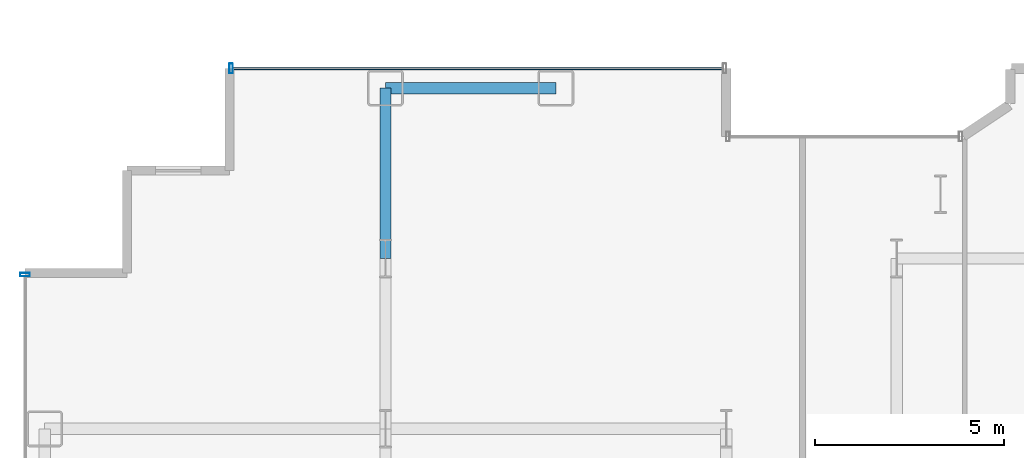
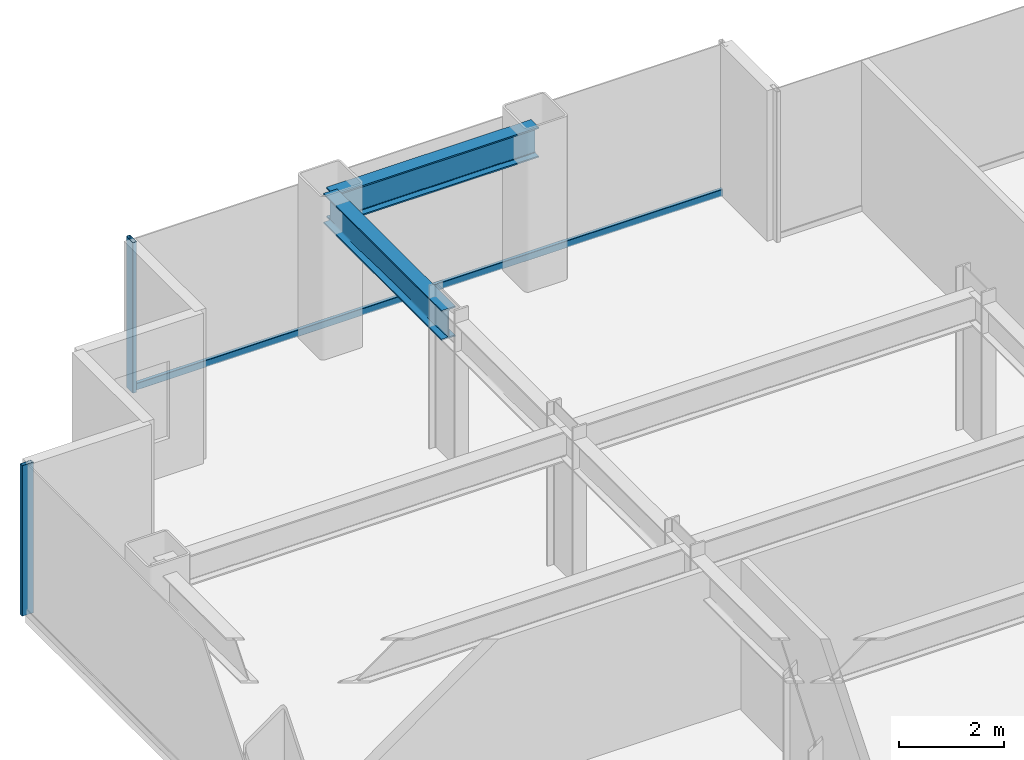
# One storey, part 9 of 26: 3 members, 2 beams, 2 elements without a shape of their own.
"""IFC4 building model written with IfcOpenShell, lengths in metres."""

from ifc_helpers import new_model, si_unit, direction, frame, origin, origin_2d, place, context, subcontext, project, spatial, hollow_rectangle, i_section, extrude, source, transform, mapped, material, layer, layer_set, material_profile, profile_set, type_object, element, aggregate, save


model = new_model("IFC4")

# Units and contexts
model_context = context("Model", 3, precision=1e-05, world=origin(), true_north=direction((0.0, 1.0)))
body_context = subcontext(model_context, "Body", "Model", "MODEL_VIEW")
ifc_project = project(units=[si_unit("LENGTHUNIT", "METRE"), si_unit("AREAUNIT", "SQUARE_METRE"), si_unit("VOLUMEUNIT", "CUBIC_METRE"), si_unit("PLANEANGLEUNIT", "RADIAN"), si_unit("MASSUNIT", "GRAM", prefix="KILO")], contexts=[model_context])

# Site, building, storey
site_placement = place(None, origin())
site = spatial("IfcSite", under=ifc_project, at=site_placement, CompositionType="ELEMENT")
building_placement = place(site_placement, origin())
building = spatial("IfcBuilding", under=site, at=building_placement, Name="Nefas-Gora Pilgrimage Tower", CompositionType="ELEMENT")
storey_placement = place(building_placement, frame((0.0, 0.0, 82.39990234375)))
storey = spatial("IfcBuildingStorey", under=building, at=storey_placement, Name="L19", CompositionType="ELEMENT", Elevation=82.39990234375)

# Beams
ifc_material_1 = material(Name="Steel S355", Category="steel")
ifc_material_profile_1 = material_profile(ifc_material_1, i_section(OverallWidth=0.300048828125, OverallDepth=0.699951171875, WebThickness=0.01708984375, FlangeThickness=0.031982421875, FilletRadius=0.027099609375, at=origin_2d()), Name="HEB 700")
ifc_profile_set_1 = profile_set([ifc_material_profile_1], Name="Steel S355")
beam_type_1 = type_object("IfcBeamType", Name="BM-SPN-HEB600", PredefinedType="SPANDREL", material=ifc_profile_set_1)
shared_shape_1 = source(origin(), body_context, "Body", "SweptSolid", [
    extrude(i_section(OverallWidth=0.300048828125, OverallDepth=0.699951171875, WebThickness=0.01708984375, FlangeThickness=0.031982421875, FilletRadius=0.027099609375, at=origin_2d()), origin(), (0.0, 0.0, 1.0), 4.5),
])
beam_1_placement = place(storey_placement, frame((-24.75, 22.5, 3.150146484375), z_axis=(1.0, 0.0, 0.0), x_axis=(0.0, 1.0, 0.0)))
element("IfcBeam", 1, at=beam_1_placement, inside=storey, type_object=beam_type_1, Name="L19 SP-01 beam", PredefinedType="SPANDREL", context=body_context, shape_type="MappedRepresentation", body=[
    mapped(shared_shape_1, transform((0.0, 0.0, 0.0), x_axis=(1.0, 0.0, 0.0), y_axis=(0.0, 1.0, 0.0), z_axis=(0.0, 0.0, 1.0), scale=1.0)),
])
ifc_material_profile_2 = material_profile(ifc_material_1, i_section(OverallWidth=0.300048828125, OverallDepth=0.699951171875, WebThickness=0.01708984375, FlangeThickness=0.031982421875, FilletRadius=0.027099609375, at=origin_2d()), Name="HEB 700")
ifc_profile_set_2 = profile_set([ifc_material_profile_2], Name="Steel S355")
beam_type_2 = type_object("IfcBeamType", Name="BM-GIR-HEB700", PredefinedType="BEAM", material=ifc_profile_set_2)
shared_shape_2 = source(origin(), body_context, "Body", "SweptSolid", [
    extrude(i_section(OverallWidth=0.300048828125, OverallDepth=0.699951171875, WebThickness=0.01708984375, FlangeThickness=0.031982421875, FilletRadius=0.027099609375, at=origin_2d()), origin(), (0.0, 0.0, 1.0), 4.5),
])
beam_2_placement = place(storey_placement, frame((-24.75, 18.0, 3.150146484375), z_axis=(0.0, 1.0, 0.0), x_axis=(-1.0, 0.0, 0.0)))
element("IfcBeam", 2, at=beam_2_placement, inside=storey, type_object=beam_type_2, Name="L19 G-02 beam", PredefinedType="BEAM", context=body_context, shape_type="MappedRepresentation", body=[
    mapped(shared_shape_2, transform((0.0, 0.0, 0.0), x_axis=(1.0, 0.0, 0.0), y_axis=(0.0, 1.0, 0.0), z_axis=(0.0, 0.0, 1.0), scale=1.0)),
])

# Curtain wall, members
ifc_material_2 = material(Name="Dark ceramic-fritted solar-control aluminium-glass curtain wall", Category="aluminium")
ifc_layer = layer(ifc_material_2, 0.219970703125)
ifc_layer_set = layer_set([ifc_layer], Name="Dark ceramic-fritted solar-control aluminium-glass curtain wall")
curtain_wall_type = type_object("IfcCurtainWallType", Name="CW-SYS-2", PredefinedType="NOTDEFINED", material=ifc_layer_set)
curtain_wall_1_placement = place(storey_placement, origin())
curtain_wall_1 = element("IfcCurtainWall", 3, at=curtain_wall_1_placement, inside=storey, type_object=curtain_wall_type, Name="L19 Unitised Curtain Wall CW2", PredefinedType="NOTDEFINED")
ifc_material_3 = material(Name="Anodised architectural aluminium", Category="aluminium")
ifc_material_profile_3 = material_profile(ifc_material_3, hollow_rectangle(XDim=0.080078125, YDim=0.159912109375, WallThickness=0.00439453125, InnerFilletRadius=0.00439453125, OuterFilletRadius=0.009033203125, at=origin_2d()), Name="ALU TRANSOM 80x160")
ifc_profile_set_3 = profile_set([ifc_material_profile_3], Name="Anodised architectural aluminium")
member_type_1 = type_object("IfcMemberType", Name="CWM-TRN-2", PredefinedType="USERDEFINED", material=ifc_profile_set_3)
shared_shape_3 = source(origin(), body_context, "Body", "SweptSolid", [
    extrude(hollow_rectangle(XDim=0.080078125, YDim=0.159912109375, WallThickness=0.00439453125, InnerFilletRadius=0.00439453125, OuterFilletRadius=0.009033203125, at=origin_2d()), origin(), (0.0, 0.0, 1.0), 12.93994140625),
])
member_1_placement = place(storey_placement, frame((-15.840087890625, 23.02001953125, 0.050048828125), z_axis=(-1.0, 0.0, 0.0), x_axis=(0.0, -1.0, 0.0)))
member_1 = element("IfcMember", 4, at=member_1_placement, type_object=member_type_1, Name="CW2 Spandrel Transom", ObjectType="TRANSOM", PredefinedType="USERDEFINED", context=body_context, shape_type="MappedRepresentation", body=[
    mapped(shared_shape_3, transform((0.0, 0.0, 0.0), x_axis=(1.0, 0.0, 0.0), y_axis=(0.0, 1.0, 0.0), z_axis=(0.0, 0.0, 1.0), scale=1.0)),
])
ifc_material_profile_4 = material_profile(ifc_material_3, hollow_rectangle(XDim=0.090087890625, YDim=0.260009765625, WallThickness=0.006103515625, InnerFilletRadius=0.006103515625, OuterFilletRadius=0.011962890625, at=origin_2d()), Name="ALU MULLION 90x260")
ifc_profile_set_4 = profile_set([ifc_material_profile_4], Name="Anodised architectural aluminium")
member_type_2 = type_object("IfcMemberType", Name="CWM-MUL-2", PredefinedType="MULLION", material=ifc_profile_set_4)
shared_shape_4 = source(origin(), body_context, "Body", "SweptSolid", [
    extrude(hollow_rectangle(XDim=0.090087890625, YDim=0.260009765625, WallThickness=0.006103515625, InnerFilletRadius=0.006103515625, OuterFilletRadius=0.011962890625, at=origin_2d()), origin(), (0.0, 0.0, 1.0), 3.5),
])
member_2_placement = place(storey_placement, frame((-28.824951171875, 23.02001953125, 0.0), z_axis=(0.0, 0.0, 1.0), x_axis=(-1.0, 0.0, 0.0)))
member_2 = element("IfcMember", 5, at=member_2_placement, type_object=member_type_2, Name="CW2 Mullion 2", PredefinedType="MULLION", context=body_context, shape_type="MappedRepresentation", body=[
    mapped(shared_shape_4, transform((0.0, 0.0, 0.0), x_axis=(1.0, 0.0, 0.0), y_axis=(0.0, 1.0, 0.0), z_axis=(0.0, 0.0, 1.0), scale=1.0)),
])
aggregate(curtain_wall_1, [member_2, member_1])

# Curtain wall, member
curtain_wall_2_placement = place(storey_placement, origin())
curtain_wall_2 = element("IfcCurtainWall", 6, at=curtain_wall_2_placement, inside=storey, type_object=curtain_wall_type, Name="L19 Unitised Curtain Wall CW2", PredefinedType="NOTDEFINED")
member_3_placement = place(storey_placement, frame((-34.27001953125, 17.574951171875, 0.0), z_axis=(0.0, 0.0, 1.0), x_axis=(0.0, -1.0, 0.0)))
member_3 = element("IfcMember", 7, at=member_3_placement, type_object=member_type_2, Name="CW2 Mullion 1", PredefinedType="MULLION", context=body_context, shape_type="MappedRepresentation", body=[
    mapped(shared_shape_4, transform((0.0, 0.0, 0.0), x_axis=(1.0, 0.0, 0.0), y_axis=(0.0, 1.0, 0.0), z_axis=(0.0, 0.0, 1.0), scale=1.0)),
])
aggregate(curtain_wall_2, [member_3])

save(model, "model.ifc")
